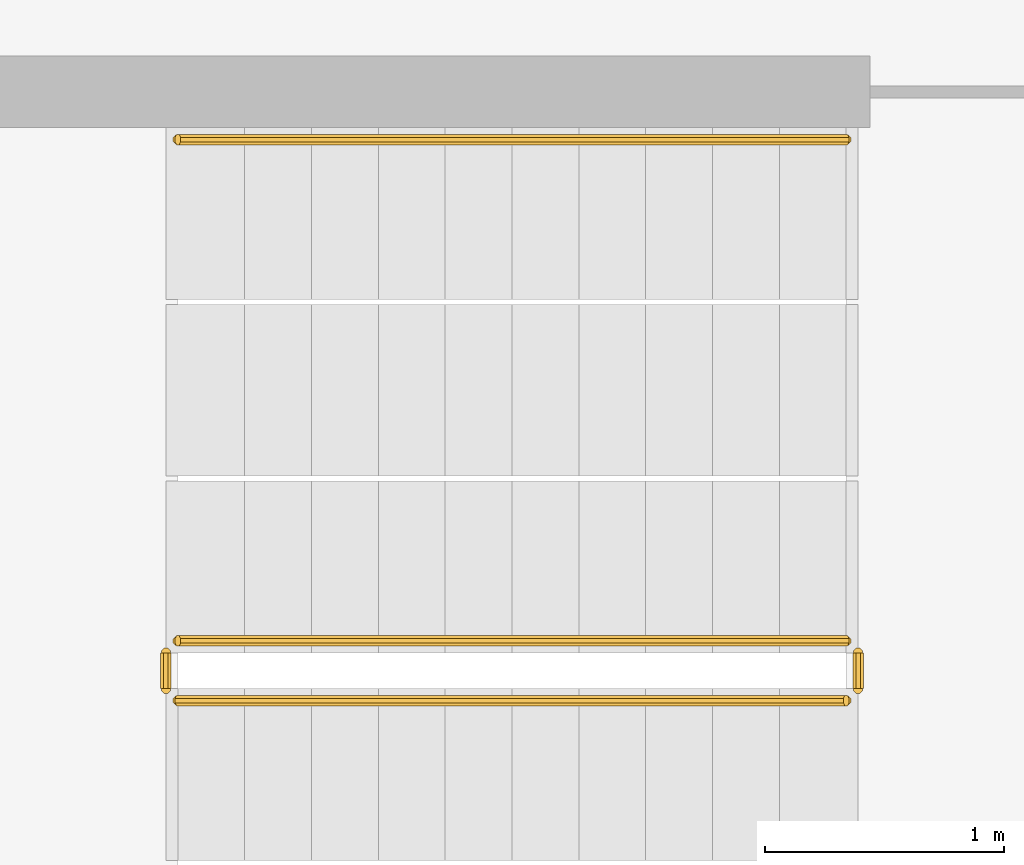
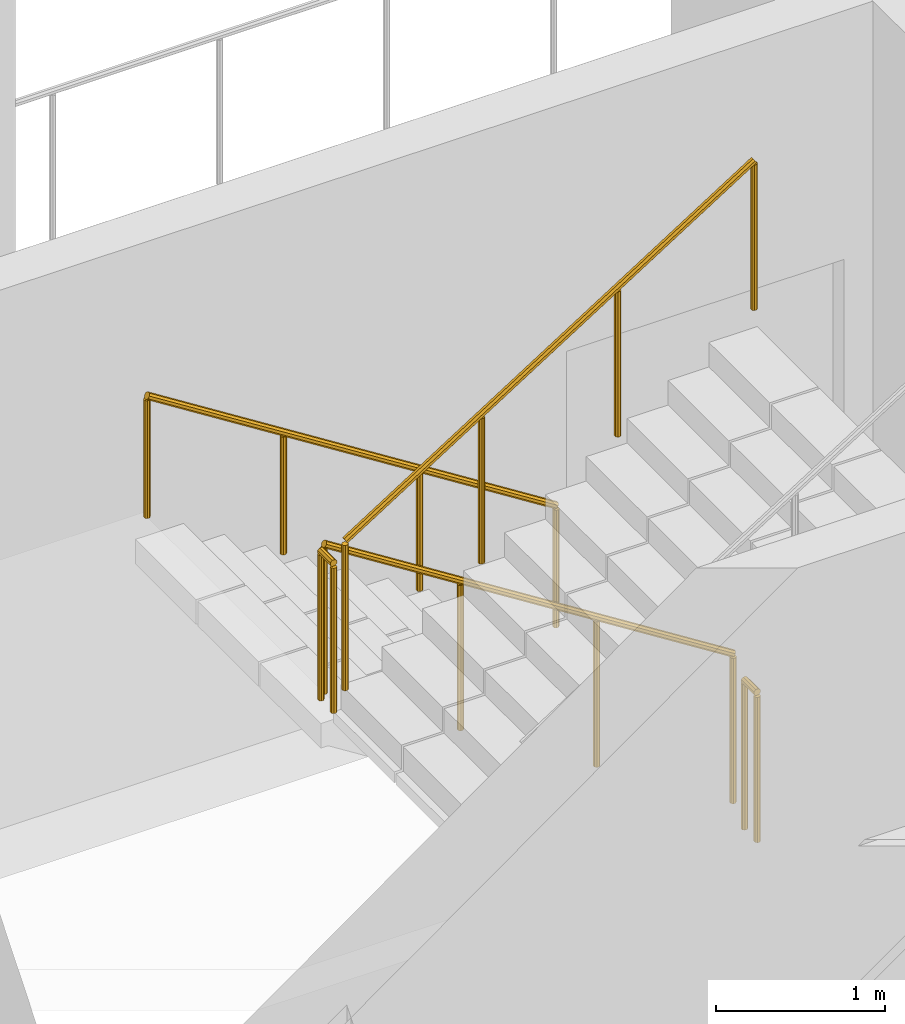
# One storey, part 19 of 26: 5 railings.
"""IFC4 building model written with IfcOpenShell, lengths in metres."""

from ifc_helpers import new_model, si_unit, direction, frame, origin, place, context, subcontext, project, spatial, polyline, outline, extrude, material, type_object, element, save


model = new_model("IFC4")

# Units and contexts
model_context = context("Model", 3, precision=1e-05, world=origin(), true_north=direction((0.0, 1.0)))
body_context = subcontext(model_context, "Body", "Model", "MODEL_VIEW")
ifc_project = project(units=[si_unit("LENGTHUNIT", "METRE"), si_unit("AREAUNIT", "SQUARE_METRE"), si_unit("VOLUMEUNIT", "CUBIC_METRE"), si_unit("PLANEANGLEUNIT", "RADIAN"), si_unit("MASSUNIT", "GRAM", prefix="KILO")], contexts=[model_context])

# Site, building, storey
site_placement = place(None, origin())
site = spatial("IfcSite", under=ifc_project, at=site_placement, CompositionType="ELEMENT")
building_placement = place(site_placement, origin())
building = spatial("IfcBuilding", under=site, at=building_placement, Name="Cormorant Relay Tower", CompositionType="ELEMENT")
storey_placement = place(building_placement, frame((0.0, 0.0, 244.199951171875)))
storey = spatial("IfcBuildingStorey", under=building, at=storey_placement, Name="L54", CompositionType="ELEMENT", Elevation=244.199951171875)

# Railings
ifc_material_1 = material(Name="Steel ASTM A572 Grade 50 (Fy 345 MPa)", Category="steel")
railing_type_1 = type_object("IfcRailingType", Name="Stair guard 1100", PredefinedType="GUARDRAIL", material=ifc_material_1)
railing_1_placement = place(storey_placement, frame((1.60009765625, -18.27490234375, 0.17724609375)))
element("IfcRailing", 1, at=railing_1_placement, inside=storey, type_object=railing_type_1, Name="L54 RK1 stair guard 1", PredefinedType="GUARDRAIL", context=body_context, shape_type="SweptSolid", body=[
    extrude(outline(polyline([(0.022216796875, 0.00927734375), (0.00927734375, 0.022216796875), (-0.00927734375, 0.022216796875), (-0.022216796875, 0.00927734375), (-0.022216796875, -0.00927734375), (-0.00927734375, -0.022216796875), (0.00927734375, -0.022216796875), (0.022216796875, -0.00927734375), (0.022216796875, 0.00927734375)])), frame((0.0, 0.0, 1.076171875), z_axis=(-0.844908973607, 0.0, 0.534910110503), x_axis=(0.0, -1.0, 0.0)), (0.0, 0.0, 1.0), 3.31396484375),
    extrude(outline(polyline([(0.019287109375, 0.008056640625), (0.008056640625, 0.019287109375), (-0.008056640625, 0.019287109375), (-0.019287109375, 0.008056640625), (-0.019287109375, -0.008056640625), (-0.008056640625, -0.019287109375), (0.008056640625, -0.019287109375), (0.019287109375, -0.008056640625), (0.019287109375, 0.008056640625)])), origin(), (0.0, 0.0, 1.0), 1.052001953125),
    extrude(outline(polyline([(0.019287109375, 0.008056640625), (0.008056640625, 0.019287109375), (-0.008056640625, 0.019287109375), (-0.019287109375, 0.008056640625), (-0.019287109375, -0.008056640625), (-0.008056640625, -0.019287109375), (0.008056640625, -0.019287109375), (0.019287109375, -0.008056640625), (0.019287109375, 0.008056640625)])), frame((-0.933349609375, 0.0, 0.5908203125)), (0.0, 0.0, 1.0), 1.052001953125),
    extrude(outline(polyline([(0.019287109375, 0.008056640625), (0.008056640625, 0.019287109375), (-0.008056640625, 0.019287109375), (-0.019287109375, 0.008056640625), (-0.019287109375, -0.008056640625), (-0.008056640625, -0.019287109375), (0.008056640625, -0.019287109375), (0.019287109375, -0.008056640625), (0.019287109375, 0.008056640625)])), frame((-1.86669921875, 0.0, 1.181884765625)), (0.0, 0.0, 1.0), 1.052001953125),
    extrude(outline(polyline([(0.019287109375, 0.008056640625), (0.008056640625, 0.019287109375), (-0.008056640625, 0.019287109375), (-0.019287109375, 0.008056640625), (-0.019287109375, -0.008056640625), (-0.008056640625, -0.019287109375), (0.008056640625, -0.019287109375), (0.019287109375, -0.008056640625), (0.019287109375, 0.008056640625)])), frame((-2.800048828125, 0.0, 1.772705078125)), (0.0, 0.0, 1.0), 1.052001953125),
])
railing_2_placement = place(storey_placement, frame((-1.25, -18.324951171875, 1.949951171875)))
element("IfcRailing", 2, at=railing_2_placement, inside=storey, type_object=railing_type_1, Name="L54 RK1 stair guard 2", PredefinedType="GUARDRAIL", context=body_context, shape_type="SweptSolid", body=[
    extrude(outline(polyline([(0.022216796875, 0.00927734375), (0.00927734375, 0.022216796875), (-0.00927734375, 0.022216796875), (-0.022216796875, 0.00927734375), (-0.022216796875, -0.00927734375), (-0.00927734375, -0.022216796875), (0.00927734375, -0.022216796875), (0.022216796875, -0.00927734375), (0.022216796875, 0.00927734375)])), frame((0.0, 0.0, 1.076171875), z_axis=(0.0, -1.0, 0.0), x_axis=(1.0, 0.0, 0.0)), (0.0, 0.0, 1.0), 0.150146484375),
    extrude(outline(polyline([(0.019287109375, 0.008056640625), (0.008056640625, 0.019287109375), (-0.008056640625, 0.019287109375), (-0.019287109375, 0.008056640625), (-0.019287109375, -0.008056640625), (-0.008056640625, -0.019287109375), (0.008056640625, -0.019287109375), (0.019287109375, -0.008056640625), (0.019287109375, 0.008056640625)])), origin(), (0.0, 0.0, 1.0), 1.052001953125),
    extrude(outline(polyline([(0.019287109375, 0.008056640625), (0.008056640625, 0.019287109375), (-0.008056640625, 0.019287109375), (-0.019287109375, 0.008056640625), (-0.019287109375, -0.008056640625), (-0.008056640625, -0.019287109375), (0.008056640625, -0.019287109375), (0.019287109375, -0.008056640625), (0.019287109375, 0.008056640625)])), frame((0.0, -0.150146484375, 0.0)), (0.0, 0.0, 1.0), 1.052001953125),
])
railing_3_placement = place(storey_placement, frame((-1.199951171875, -18.52490234375, 2.12744140625)))
element("IfcRailing", 3, at=railing_3_placement, inside=storey, type_object=railing_type_1, Name="L54 RK1 stair guard 3", PredefinedType="GUARDRAIL", context=body_context, shape_type="SweptSolid", body=[
    extrude(outline(polyline([(0.022216796875, 0.00927734375), (0.00927734375, 0.022216796875), (-0.00927734375, 0.022216796875), (-0.022216796875, 0.00927734375), (-0.022216796875, -0.00927734375), (-0.00927734375, -0.022216796875), (0.00927734375, -0.022216796875), (0.022216796875, -0.00927734375), (0.022216796875, 0.00927734375)])), frame((0.0, 0.0, 1.076171875), z_axis=(0.844908973607, 0.0, 0.534910110503), x_axis=(0.0, 1.0, 0.0)), (0.0, 0.0, 1.0), 3.31396484375),
    extrude(outline(polyline([(0.019287109375, 0.008056640625), (0.008056640625, 0.019287109375), (-0.008056640625, 0.019287109375), (-0.019287109375, 0.008056640625), (-0.019287109375, -0.008056640625), (-0.008056640625, -0.019287109375), (0.008056640625, -0.019287109375), (0.019287109375, -0.008056640625), (0.019287109375, 0.008056640625)])), origin(), (0.0, 0.0, 1.0), 1.052001953125),
    extrude(outline(polyline([(0.019287109375, 0.008056640625), (0.008056640625, 0.019287109375), (-0.008056640625, 0.019287109375), (-0.019287109375, 0.008056640625), (-0.019287109375, -0.008056640625), (-0.008056640625, -0.019287109375), (0.008056640625, -0.019287109375), (0.019287109375, -0.008056640625), (0.019287109375, 0.008056640625)])), frame((0.933349609375, 0.0, 0.5908203125)), (0.0, 0.0, 1.0), 1.052001953125),
    extrude(outline(polyline([(0.019287109375, 0.008056640625), (0.008056640625, 0.019287109375), (-0.008056640625, 0.019287109375), (-0.019287109375, 0.008056640625), (-0.019287109375, -0.008056640625), (-0.008056640625, -0.019287109375), (0.008056640625, -0.019287109375), (0.019287109375, -0.008056640625), (0.019287109375, 0.008056640625)])), frame((1.86669921875, 0.0, 1.181884765625)), (0.0, 0.0, 1.0), 1.052001953125),
    extrude(outline(polyline([(0.019287109375, 0.008056640625), (0.008056640625, 0.019287109375), (-0.008056640625, 0.019287109375), (-0.019287109375, 0.008056640625), (-0.019287109375, -0.008056640625), (-0.008056640625, -0.019287109375), (0.008056640625, -0.019287109375), (0.019287109375, -0.008056640625), (0.019287109375, 0.008056640625)])), frame((2.800048828125, 0.0, 1.772705078125)), (0.0, 0.0, 1.0), 1.052001953125),
])
railing_4_placement = place(storey_placement, frame((1.64990234375, -18.324951171875, 0.0)))
element("IfcRailing", 4, at=railing_4_placement, inside=storey, type_object=railing_type_1, Name="L54 RK1 stair guard 4", PredefinedType="GUARDRAIL", context=body_context, shape_type="SweptSolid", body=[
    extrude(outline(polyline([(0.022216796875, 0.00927734375), (0.00927734375, 0.022216796875), (-0.00927734375, 0.022216796875), (-0.022216796875, 0.00927734375), (-0.022216796875, -0.00927734375), (-0.00927734375, -0.022216796875), (0.00927734375, -0.022216796875), (0.022216796875, -0.00927734375), (0.022216796875, 0.00927734375)])), frame((0.0, 0.0, 1.076171875), z_axis=(0.0, -1.0, 0.0), x_axis=(1.0, 0.0, 0.0)), (0.0, 0.0, 1.0), 0.150146484375),
    extrude(outline(polyline([(0.019287109375, 0.008056640625), (0.008056640625, 0.019287109375), (-0.008056640625, 0.019287109375), (-0.019287109375, 0.008056640625), (-0.019287109375, -0.008056640625), (-0.008056640625, -0.019287109375), (0.008056640625, -0.019287109375), (0.019287109375, -0.008056640625), (0.019287109375, 0.008056640625)])), origin(), (0.0, 0.0, 1.0), 1.052001953125),
    extrude(outline(polyline([(0.019287109375, 0.008056640625), (0.008056640625, 0.019287109375), (-0.008056640625, 0.019287109375), (-0.019287109375, 0.008056640625), (-0.019287109375, -0.008056640625), (-0.008056640625, -0.019287109375), (0.008056640625, -0.019287109375), (0.019287109375, -0.008056640625), (0.019287109375, 0.008056640625)])), frame((0.0, -0.150146484375, 0.0)), (0.0, 0.0, 1.0), 1.052001953125),
])
ifc_material_2 = material(Name="Steel ASTM A572 Grade 50 (Fy 345 MPa)", Category="steel")
railing_type_2 = type_object("IfcRailingType", Name="Stair handrail 900", PredefinedType="HANDRAIL", material=ifc_material_2)
railing_5_placement = place(storey_placement, frame((1.60009765625, -16.175048828125, 0.17724609375)))
element("IfcRailing", 5, at=railing_5_placement, inside=storey, type_object=railing_type_2, Name="L54 RK1 stair handrail 1", PredefinedType="HANDRAIL", context=body_context, shape_type="SweptSolid", body=[
    extrude(outline(polyline([(0.022216796875, 0.00927734375), (0.00927734375, 0.022216796875), (-0.00927734375, 0.022216796875), (-0.022216796875, 0.00927734375), (-0.022216796875, -0.00927734375), (-0.00927734375, -0.022216796875), (0.00927734375, -0.022216796875), (0.022216796875, -0.00927734375), (0.022216796875, 0.00927734375)])), frame((0.0, 0.0, 0.8759765625), z_axis=(-0.844908973607, 0.0, 0.534910110503), x_axis=(0.0, -1.0, 0.0)), (0.0, 0.0, 1.0), 3.31396484375),
    extrude(outline(polyline([(0.019287109375, 0.008056640625), (0.008056640625, 0.019287109375), (-0.008056640625, 0.019287109375), (-0.019287109375, 0.008056640625), (-0.019287109375, -0.008056640625), (-0.008056640625, -0.019287109375), (0.008056640625, -0.019287109375), (0.019287109375, -0.008056640625), (0.019287109375, 0.008056640625)])), origin(), (0.0, 0.0, 1.0), 0.851806640625),
    extrude(outline(polyline([(0.019287109375, 0.008056640625), (0.008056640625, 0.019287109375), (-0.008056640625, 0.019287109375), (-0.019287109375, 0.008056640625), (-0.019287109375, -0.008056640625), (-0.008056640625, -0.019287109375), (0.008056640625, -0.019287109375), (0.019287109375, -0.008056640625), (0.019287109375, 0.008056640625)])), frame((-0.933349609375, 0.0, 0.5908203125)), (0.0, 0.0, 1.0), 0.851806640625),
    extrude(outline(polyline([(0.019287109375, 0.008056640625), (0.008056640625, 0.019287109375), (-0.008056640625, 0.019287109375), (-0.019287109375, 0.008056640625), (-0.019287109375, -0.008056640625), (-0.008056640625, -0.019287109375), (0.008056640625, -0.019287109375), (0.019287109375, -0.008056640625), (0.019287109375, 0.008056640625)])), frame((-1.86669921875, 0.0, 1.181884765625)), (0.0, 0.0, 1.0), 0.851806640625),
    extrude(outline(polyline([(0.019287109375, 0.008056640625), (0.008056640625, 0.019287109375), (-0.008056640625, 0.019287109375), (-0.019287109375, 0.008056640625), (-0.019287109375, -0.008056640625), (-0.008056640625, -0.019287109375), (0.008056640625, -0.019287109375), (0.019287109375, -0.008056640625), (0.019287109375, 0.008056640625)])), frame((-2.800048828125, 0.0, 1.772705078125)), (0.0, 0.0, 1.0), 0.851806640625),
])

save(model, "model.ifc")
